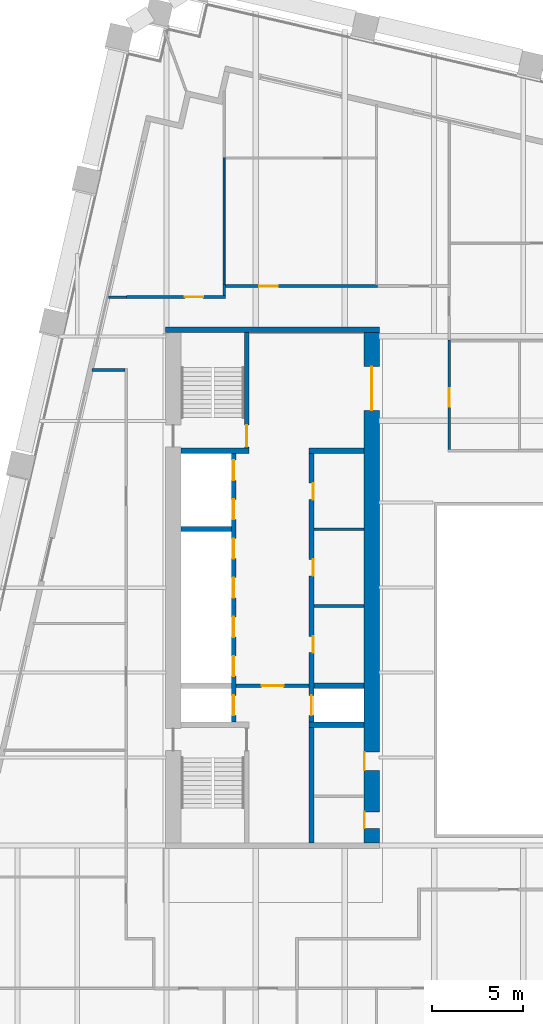
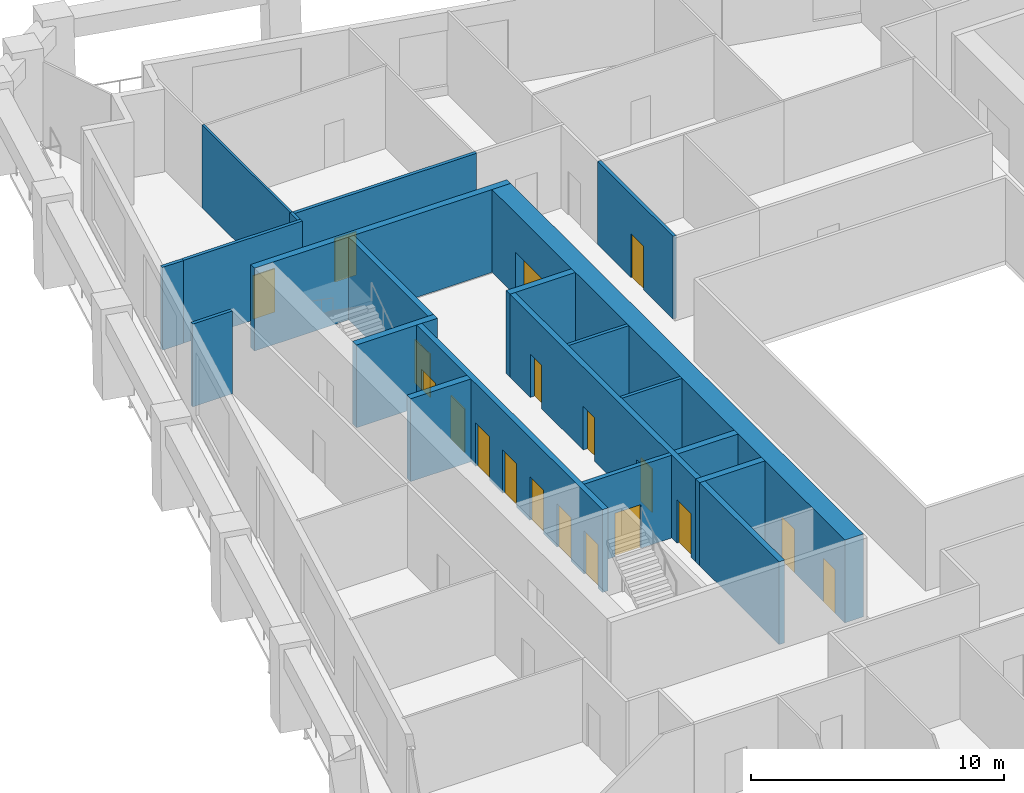
# One storey, part 5 of 10: 20 walls, 19 doors, 19 openings.
"""IFC4 building model written with IfcOpenShell, lengths in metres."""

from ifc_helpers import new_model, si_unit, direction, frame, frame_2d, origin, place, context, subcontext, project, spatial, rectangle, extrude, material, layer, layer_set, type_object, element, fill, save


model = new_model("IFC4")

# Units and contexts
model_context = context("Model", 3, precision=1e-05, world=origin(), true_north=direction((0.0, 1.0)))
body_context = subcontext(model_context, "Body", "Model", "MODEL_VIEW")
ifc_project = project(units=[si_unit("LENGTHUNIT", "METRE"), si_unit("AREAUNIT", "SQUARE_METRE"), si_unit("VOLUMEUNIT", "CUBIC_METRE"), si_unit("PLANEANGLEUNIT", "RADIAN"), si_unit("MASSUNIT", "GRAM", prefix="KILO")], contexts=[model_context])

# Site, building, storey
site_placement = place(None, origin())
site = spatial("IfcSite", under=ifc_project, at=site_placement, CompositionType="ELEMENT")
building_placement = place(site_placement, origin())
building = spatial("IfcBuilding", under=site, at=building_placement, Name="Ogive Exchange Tower", CompositionType="ELEMENT")
storey_placement = place(building_placement, frame((0.0, 0.0, 114.0)))
storey = spatial("IfcBuildingStorey", under=building, at=storey_placement, Name="L24", CompositionType="ELEMENT", Elevation=114.0)

# Walls
ifc_material_1 = material(Name="Gypsum board partition")
ifc_layer_1 = layer(ifc_material_1, 0.14990234375)
ifc_layer_set_1 = layer_set([ifc_layer_1], Name="Core room partition 150 gypsum")
wall_type_1 = type_object("IfcWallType", Name="Core room partition 150 gypsum", PredefinedType="PARTITIONING", material=ifc_layer_set_1)
for number, where, z_axis, x_axis, name in (
    (1, (-13.75, 10.5, 0.0), (0.0, 0.0, 1.0), (1.0, 0.0, 0.0), "W row B bay partition 1-1"),
    (2, (-13.75, 14.699951171875, 0.0), (0.0, 0.0, 1.0), (1.0, 0.0, 0.0), "W row B bay partition 1-2"),
):
    element("IfcWall", number, at=place(storey_placement, frame(where, z_axis=z_axis, x_axis=x_axis)), inside=storey, type_object=wall_type_1, Name=name, PredefinedType="PARTITIONING", context=body_context, shape_type="SweptSolid", body=[
        extrude(rectangle(XDim=2.75, YDim=0.14990234375, at=frame_2d((1.375, 0.0))), origin(), (0.0, 0.0, 1.0), 4.0),
    ])
ifc_layer_2 = layer(ifc_material_1, 0.300048828125)
ifc_layer_set_2 = layer_set([ifc_layer_2], Name="Core room partition 300 gypsum")
wall_type_2 = type_object("IfcWallType", Name="Core room partition 300 gypsum", PredefinedType="PARTITIONING", material=ifc_layer_set_2)
wall_1_placement = place(storey_placement, frame((-14.0, 19.0, 0.0), z_axis=(0.0, 0.0, 1.0), x_axis=(1.0, 0.0, 0.0)))
element("IfcWall", 3, at=wall_1_placement, inside=storey, type_object=wall_type_2, Name="W row B room end wall 7", PredefinedType="PARTITIONING", context=body_context, shape_type="SweptSolid", body=[
    extrude(rectangle(XDim=3.0, YDim=0.300048828125, at=frame_2d((1.5, 0.0))), origin(), (0.0, 0.0, 1.0), 4.0),
])
ifc_material_2 = material(Name="Fire partition EI 60 150")
ifc_layer_3 = layer(ifc_material_2, 0.14990234375)
ifc_layer_set_3 = layer_set([ifc_layer_3], Name="Fire partition EI 60 150")
wall_type_3 = type_object("IfcWallType", Name="Fire partition EI 60 150", PredefinedType="PARTITIONING", material=ifc_layer_set_3)
wall_2_placement = place(storey_placement, frame((-24.970947265625, 27.389892578125, 0.0), z_axis=(0.0, 0.0, 1.0), x_axis=(1.0, 0.0, 0.0)))
element("IfcWall", 4, at=wall_2_placement, inside=storey, type_object=wall_type_3, Name="L24-PWL-002", PredefinedType="PARTITIONING", context=body_context, shape_type="SweptSolid", body=[
    extrude(rectangle(XDim=0.970947265625, YDim=0.14990234375, at=frame_2d((0.4853515625, 0.0))), origin(), (0.0, 0.0, 1.0), 4.0),
])
wall_3_placement = place(storey_placement, frame((-24.074951171875, 23.409912109375, 0.0), z_axis=(0.0, 0.0, 1.0), x_axis=(-1.0, 0.0, 0.0)))
element("IfcWall", 5, at=wall_3_placement, inside=storey, type_object=wall_type_3, Name="L24-PWL-010", PredefinedType="PARTITIONING", context=body_context, shape_type="SweptSolid", body=[
    extrude(rectangle(XDim=1.81494140625, YDim=0.14990234375, at=frame_2d((0.907470703125, 0.0))), origin(), (0.0, 0.0, 1.0), 4.0),
])

# Wall, opening, door
wall_4_placement = place(storey_placement, frame((-24.0, 27.39990234375, 0.0), z_axis=(0.0, 0.0, 1.0), x_axis=(1.0, 0.0, 0.0)))
wall_4 = element("IfcWall", 6, at=wall_4_placement, inside=storey, type_object=wall_type_3, Name="L24-PWL-011", PredefinedType="PARTITIONING", context=body_context, shape_type="SweptSolid", body=[
    extrude(rectangle(XDim=5.425048828125, YDim=0.14990234375, at=frame_2d((2.71240234375, 0.0))), origin(), (0.0, 0.0, 1.0), 4.0),
])
opening_1_placement = place(wall_4_placement, frame((3.199951171875, 0.0, 0.0)))
opening_1 = element("IfcOpeningElement", 7, at=opening_1_placement, cuts=wall_4, Name="Opening L24-I14", PredefinedType="OPENING", context=body_context, shape_type="SweptSolid", body=[
    extrude(rectangle(XDim=1.0, YDim=2.10009765625, at=frame_2d((0.5, 1.050048828125))), frame((0.0, 0.0849609375, 0.0), z_axis=(0.0, -1.0, 0.0), x_axis=(1.0, 0.0, 0.0)), (0.0, 0.0, 1.0), 0.169921875),
])
ifc_material_3 = material(Name="Fire door FD 30S 1000 x 2100")
door_type_1 = type_object("IfcDoorType", Name="Fire door FD 30S 1000 x 2100", OperationType="NOTDEFINED", PredefinedType="DOOR", material=ifc_material_3)
door_1_placement = place(opening_1_placement, origin())
door_1 = element("IfcDoor", 8, at=door_1_placement, inside=storey, type_object=door_type_1, Name="L24-IDR-014", ObjectType="DT3", OperationType="SINGLE_SWING_LEFT", OverallHeight=2.10009765625, OverallWidth=1.0, PredefinedType="DOOR", context=body_context, shape_type="SweptSolid", body=[
    extrude(rectangle(XDim=1.0, YDim=2.10009765625, at=frame_2d((0.5, 1.050048828125))), frame((0.0, 0.02490234375, 0.0), z_axis=(0.0, -1.0, 0.0), x_axis=(1.0, 0.0, 0.0)), (0.0, 0.0, 1.0), 0.050048828125),
])
fill(opening_1, door_1)

# Wall
wall_5_placement = place(storey_placement, frame((-18.64990234375, 27.47509765625, 0.0), z_axis=(0.0, 0.0, 1.0), x_axis=(0.0, 1.0, 0.0)))
element("IfcWall", 9, at=wall_5_placement, inside=storey, type_object=wall_type_3, Name="L24-PWL-017", PredefinedType="PARTITIONING", context=body_context, shape_type="SweptSolid", body=[
    extrude(rectangle(XDim=0.599853515625, YDim=0.14990234375, at=frame_2d((0.2998046875, 0.0))), origin(), (0.0, 0.0, 1.0), 4.0),
])

# Wall, opening, door
wall_6_placement = place(storey_placement, frame((-18.574951171875, 28.0, 0.0), z_axis=(0.0, 0.0, 1.0), x_axis=(1.0, 0.0, 0.0)))
wall_6 = element("IfcWall", 10, at=wall_6_placement, inside=storey, type_object=wall_type_3, Name="L24-PWL-019", PredefinedType="PARTITIONING", context=body_context, shape_type="SweptSolid", body=[
    extrude(rectangle(XDim=8.304931640625, YDim=0.14990234375, at=frame_2d((4.15234375, 0.0))), origin(), (0.0, 0.0, 1.0), 4.0),
])
opening_2_placement = place(wall_6_placement, frame((1.85498046875, 0.0, 0.0)))
opening_2 = element("IfcOpeningElement", 11, at=opening_2_placement, cuts=wall_6, Name="Opening L24-I12", PredefinedType="OPENING", context=body_context, shape_type="SweptSolid", body=[
    extrude(rectangle(XDim=1.0, YDim=2.10009765625, at=frame_2d((0.5, 1.050048828125))), frame((0.0, 0.0849609375, 0.0), z_axis=(0.0, -1.0, 0.0), x_axis=(1.0, 0.0, 0.0)), (0.0, 0.0, 1.0), 0.169921875),
])
door_2_placement = place(opening_2_placement, origin())
door_2 = element("IfcDoor", 12, at=door_2_placement, inside=storey, type_object=door_type_1, Name="L24-IDR-012", ObjectType="DT3", OperationType="SINGLE_SWING_RIGHT", OverallHeight=2.10009765625, OverallWidth=1.0, PredefinedType="DOOR", context=body_context, shape_type="SweptSolid", body=[
    extrude(rectangle(XDim=1.0, YDim=2.10009765625, at=frame_2d((0.5, 1.050048828125))), frame((0.0, 0.02490234375, 0.0), z_axis=(0.0, -1.0, 0.0), x_axis=(1.0, 0.0, 0.0)), (0.0, 0.0, 1.0), 0.050048828125),
])
fill(opening_2, door_2)

wall_7_placement = place(storey_placement, frame((-6.340087890625, 25.050048828125, 0.0), z_axis=(0.0, 0.0, 1.0), x_axis=(0.0, -1.0, 0.0)))
wall_7 = element("IfcWall", 13, at=wall_7_placement, inside=storey, type_object=wall_type_3, Name="L24-PWL-033", PredefinedType="PARTITIONING", context=body_context, shape_type="SweptSolid", body=[
    extrude(rectangle(XDim=5.97509765625, YDim=0.14990234375, at=frame_2d((2.987548828125, 0.0))), origin(), (0.0, 0.0, 1.0), 4.0),
])
opening_3_placement = place(wall_7_placement, frame((2.64990234375, 0.0, 0.0)))
opening_3 = element("IfcOpeningElement", 14, at=opening_3_placement, cuts=wall_7, Name="Opening L24-I05", PredefinedType="OPENING", context=body_context, shape_type="SweptSolid", body=[
    extrude(rectangle(XDim=1.0, YDim=2.10009765625, at=frame_2d((0.5, 1.050048828125))), frame((0.0, 0.0849609375, 0.0), z_axis=(0.0, -1.0, 0.0), x_axis=(1.0, 0.0, 0.0)), (0.0, 0.0, 1.0), 0.169921875),
])
door_3_placement = place(opening_3_placement, origin())
door_3 = element("IfcDoor", 15, at=door_3_placement, inside=storey, type_object=door_type_1, Name="L24-IDR-005", ObjectType="DT3", OperationType="SINGLE_SWING_LEFT", OverallHeight=2.10009765625, OverallWidth=1.0, PredefinedType="DOOR", context=body_context, shape_type="SweptSolid", body=[
    extrude(rectangle(XDim=1.0, YDim=2.10009765625, at=frame_2d((0.5, 1.050048828125))), frame((0.0, 0.02490234375, 0.0), z_axis=(0.0, -1.0, 0.0), x_axis=(1.0, 0.0, 0.0)), (0.0, 0.0, 1.0), 0.050048828125),
])
fill(opening_3, door_3)

# Wall
ifc_material_4 = material(Name="Partition 100 gypsum")
ifc_layer_4 = layer(ifc_material_4, 0.10009765625)
ifc_layer_set_4 = layer_set([ifc_layer_4], Name="Partition 100 gypsum")
wall_type_4 = type_object("IfcWallType", Name="Partition 100 gypsum", PredefinedType="PARTITIONING", material=ifc_layer_set_4)
wall_8_placement = place(storey_placement, frame((-18.64990234375, 28.074951171875, 0.0), z_axis=(0.0, 0.0, 1.0), x_axis=(0.0, 1.0, 0.0)))
element("IfcWall", 16, at=wall_8_placement, inside=storey, type_object=wall_type_4, Name="L24-PWL-018", PredefinedType="PARTITIONING", context=body_context, shape_type="SweptSolid", body=[
    extrude(rectangle(XDim=6.97509765625, YDim=0.10009765625, at=frame_2d((3.487548828125, 0.0))), origin(), (0.0, 0.0, 1.0), 4.0),
])

# Wall, opening, door
ifc_material_5 = material(Name="Concrete C70/85", Category="concrete")
ifc_layer_5 = layer(ifc_material_5, 0.199951171875)
ifc_layer_set_5 = layer_set([ifc_layer_5], Name="RC core wall 200 C70/85")
wall_type_5 = type_object("IfcWallType", Name="RC core wall 200 C70/85", PredefinedType="SHEAR", material=ifc_layer_set_5)
wall_9_placement = place(storey_placement, frame((-18.0, 6.142822265625, 0.0), z_axis=(0.0, 0.0, 1.0), x_axis=(1.0, 0.0, 0.0)))
wall_9 = element("IfcWall", 17, at=wall_9_placement, inside=storey, type_object=wall_type_5, Name="W firefighting lobby wall", PredefinedType="SHEAR", context=body_context, shape_type="SweptSolid", body=[
    extrude(rectangle(XDim=4.0, YDim=0.199951171875, at=frame_2d((2.0, 0.0))), origin(), (0.0, 0.0, 1.0), 4.0),
])
opening_4_placement = place(wall_9_placement, frame((1.39990234375, 0.0, 0.0)))
opening_4 = element("IfcOpeningElement", 18, at=opening_4_placement, cuts=wall_9, Name="Opening L24-C12", PredefinedType="OPENING", context=body_context, shape_type="SweptSolid", body=[
    extrude(rectangle(XDim=1.199951171875, YDim=2.10009765625, at=frame_2d((0.60009765625, 1.050048828125))), frame((0.0, 0.10986328125, 0.0), z_axis=(0.0, -1.0, 0.0), x_axis=(1.0, 0.0, 0.0)), (0.0, 0.0, 1.0), 0.219970703125),
])
ifc_material_6 = material(Name="Steel fire door", Category="steel")
door_type_2 = type_object("IfcDoorType", Name="Firefighting lobby door FD60 1200 x 2100", OperationType="NOTDEFINED", PredefinedType="DOOR", material=ifc_material_6)
door_4_placement = place(opening_4_placement, frame((1.199951171875, 0.0, 0.0), z_axis=(0.0, 0.0, 1.0), x_axis=(-1.0, 0.0, 0.0)))
door_4 = element("IfcDoor", 19, at=door_4_placement, inside=storey, type_object=door_type_2, Name="Firefighting lobby door", ObjectType="CD3", OperationType="SINGLE_SWING_RIGHT", OverallHeight=2.10009765625, OverallWidth=1.199951171875, PredefinedType="DOOR", context=body_context, shape_type="SweptSolid", body=[
    extrude(rectangle(XDim=1.199951171875, YDim=2.10009765625, at=frame_2d((0.60009765625, 1.050048828125))), frame((0.0, 0.02490234375, 0.0), z_axis=(0.0, -1.0, 0.0), x_axis=(1.0, 0.0, 0.0)), (0.0, 0.0, 1.0), 0.050048828125),
])
fill(opening_4, door_4)

ifc_layer_6 = layer(ifc_material_5, 0.25)
ifc_layer_set_6 = layer_set([ifc_layer_6], Name="RC core wall 250 C70/85")
wall_type_6 = type_object("IfcWallType", Name="RC core wall 250 C70/85", PredefinedType="SHEAR", material=ifc_layer_set_6)
wall_10_placement = place(storey_placement, frame((-17.425048828125, 19.14990234375, 0.0), z_axis=(0.0, 0.0, 1.0), x_axis=(0.0, 1.0, 0.0)))
wall_10 = element("IfcWall", 20, at=wall_10_placement, inside=storey, type_object=wall_type_6, Name="W stair N front wall", PredefinedType="SHEAR", context=body_context, shape_type="SweptSolid", body=[
    extrude(rectangle(XDim=6.300048828125, YDim=0.25, at=frame_2d((3.14990234375, 0.0))), origin(), (0.0, 0.0, 1.0), 4.0),
])
opening_5_placement = place(wall_10_placement, frame((0.050048828125, 0.0, 0.0)))
opening_5 = element("IfcOpeningElement", 21, at=opening_5_placement, cuts=wall_10, Name="Opening L24-C16", PredefinedType="OPENING", context=body_context, shape_type="SweptSolid", body=[
    extrude(rectangle(XDim=1.199951171875, YDim=2.10009765625, at=frame_2d((0.60009765625, 1.050048828125))), frame((0.0, 0.135009765625, 0.0), z_axis=(0.0, -1.0, 0.0), x_axis=(1.0, 0.0, 0.0)), (0.0, 0.0, 1.0), 0.27001953125),
])
door_type_3 = type_object("IfcDoorType", Name="Stair door FD90 1200 x 2100", OperationType="NOTDEFINED", PredefinedType="DOOR", material=ifc_material_6)
door_5_placement = place(opening_5_placement, origin())
door_5 = element("IfcDoor", 22, at=door_5_placement, inside=storey, type_object=door_type_3, Name="Stair door", ObjectType="CD5", OperationType="SINGLE_SWING_RIGHT", OverallHeight=2.10009765625, OverallWidth=1.199951171875, PredefinedType="DOOR", context=body_context, shape_type="SweptSolid", body=[
    extrude(rectangle(XDim=1.199951171875, YDim=2.10009765625, at=frame_2d((0.60009765625, 1.050048828125))), frame((0.0, 0.02490234375, 0.0), z_axis=(0.0, -1.0, 0.0), x_axis=(1.0, 0.0, 0.0)), (0.0, 0.0, 1.0), 0.050048828125),
])
fill(opening_5, door_5)

# Wall, openings, doors
wall_11_placement = place(storey_placement, frame((-18.125, 4.14990234375, 0.0), z_axis=(0.0, 0.0, 1.0), x_axis=(0.0, 1.0, 0.0)))
wall_11 = element("IfcWall", 23, at=wall_11_placement, inside=storey, type_object=wall_type_6, Name="W row A front wall", PredefinedType="SHEAR", context=body_context, shape_type="SweptSolid", body=[
    extrude(rectangle(XDim=14.7001953125, YDim=0.25, at=frame_2d((7.35009765625, 0.0))), origin(), (0.0, 0.0, 1.0), 4.0),
])
opening_6_placement = place(wall_11_placement, frame((0.371337890625, 0.0, 0.0)))
opening_6 = element("IfcOpeningElement", 24, at=opening_6_placement, cuts=wall_11, Name="Opening L24-C01", PredefinedType="OPENING", context=body_context, shape_type="SweptSolid", body=[
    extrude(rectangle(XDim=1.10009765625, YDim=2.10009765625, at=frame_2d((0.550048828125, 1.050048828125))), frame((0.0, 0.135009765625, 0.0), z_axis=(0.0, -1.0, 0.0), x_axis=(1.0, 0.0, 0.0)), (0.0, 0.0, 1.0), 0.27001953125),
])
opening_7_placement = place(wall_11_placement, frame((2.514404296875, 0.0, 0.0)))
opening_7 = element("IfcOpeningElement", 25, at=opening_7_placement, cuts=wall_11, Name="Opening L24-C02", PredefinedType="OPENING", context=body_context, shape_type="SweptSolid", body=[
    extrude(rectangle(XDim=1.10009765625, YDim=2.10009765625, at=frame_2d((0.550048828125, 1.050048828125))), frame((0.0, 0.135009765625, 0.0), z_axis=(0.0, -1.0, 0.0), x_axis=(1.0, 0.0, 0.0)), (0.0, 0.0, 1.0), 0.27001953125),
])
opening_8_placement = place(wall_11_placement, frame((4.656982421875, 0.0, 0.0)))
opening_8 = element("IfcOpeningElement", 26, at=opening_8_placement, cuts=wall_11, Name="Opening L24-C03", PredefinedType="OPENING", context=body_context, shape_type="SweptSolid", body=[
    extrude(rectangle(XDim=1.10009765625, YDim=2.10009765625, at=frame_2d((0.550048828125, 1.050048828125))), frame((0.0, 0.135009765625, 0.0), z_axis=(0.0, -1.0, 0.0), x_axis=(1.0, 0.0, 0.0)), (0.0, 0.0, 1.0), 0.27001953125),
])
opening_9_placement = place(wall_11_placement, frame((6.800048828125, 0.0, 0.0)))
opening_9 = element("IfcOpeningElement", 27, at=opening_9_placement, cuts=wall_11, Name="Opening L24-C04", PredefinedType="OPENING", context=body_context, shape_type="SweptSolid", body=[
    extrude(rectangle(XDim=1.10009765625, YDim=2.10009765625, at=frame_2d((0.550048828125, 1.050048828125))), frame((0.0, 0.135009765625, 0.0), z_axis=(0.0, -1.0, 0.0), x_axis=(1.0, 0.0, 0.0)), (0.0, 0.0, 1.0), 0.27001953125),
])
opening_10_placement = place(wall_11_placement, frame((8.94287109375, 0.0, 0.0)))
opening_10 = element("IfcOpeningElement", 28, at=opening_10_placement, cuts=wall_11, Name="Opening L24-C05", PredefinedType="OPENING", context=body_context, shape_type="SweptSolid", body=[
    extrude(rectangle(XDim=1.10009765625, YDim=2.10009765625, at=frame_2d((0.550048828125, 1.050048828125))), frame((0.0, 0.135009765625, 0.0), z_axis=(0.0, -1.0, 0.0), x_axis=(1.0, 0.0, 0.0)), (0.0, 0.0, 1.0), 0.27001953125),
])
opening_11_placement = place(wall_11_placement, frame((11.085693359375, 0.0, 0.0)))
opening_11 = element("IfcOpeningElement", 29, at=opening_11_placement, cuts=wall_11, Name="Opening L24-C06", PredefinedType="OPENING", context=body_context, shape_type="SweptSolid", body=[
    extrude(rectangle(XDim=1.10009765625, YDim=2.10009765625, at=frame_2d((0.550048828125, 1.050048828125))), frame((0.0, 0.135009765625, 0.0), z_axis=(0.0, -1.0, 0.0), x_axis=(1.0, 0.0, 0.0)), (0.0, 0.0, 1.0), 0.27001953125),
])
opening_12_placement = place(wall_11_placement, frame((13.228515625, 0.0, 0.0)))
opening_12 = element("IfcOpeningElement", 30, at=opening_12_placement, cuts=wall_11, Name="Opening L24-C07", PredefinedType="OPENING", context=body_context, shape_type="SweptSolid", body=[
    extrude(rectangle(XDim=1.10009765625, YDim=2.10009765625, at=frame_2d((0.550048828125, 1.050048828125))), frame((0.0, 0.135009765625, 0.0), z_axis=(0.0, -1.0, 0.0), x_axis=(1.0, 0.0, 0.0)), (0.0, 0.0, 1.0), 0.27001953125),
])
ifc_material_7 = material(Name="Stainless steel", Category="steel")
door_type_4 = type_object("IfcDoorType", Name="Lift landing door FD90 1100 x 2100", OperationType="SLIDING_TO_LEFT", PredefinedType="DOOR", material=ifc_material_7)
door_6_placement = place(opening_6_placement, origin())
door_6 = element("IfcDoor", 31, at=door_6_placement, inside=storey, type_object=door_type_4, Name="Lift landing door FF1", ObjectType="LD", OperationType="SLIDING_TO_LEFT", OverallHeight=2.10009765625, OverallWidth=1.10009765625, PredefinedType="DOOR", context=body_context, shape_type="SweptSolid", body=[
    extrude(rectangle(XDim=1.10009765625, YDim=2.10009765625, at=frame_2d((0.550048828125, 1.050048828125))), frame((0.0, 0.02490234375, 0.0), z_axis=(0.0, -1.0, 0.0), x_axis=(1.0, 0.0, 0.0)), (0.0, 0.0, 1.0), 0.050048828125),
])
fill(opening_6, door_6)
door_7_placement = place(opening_7_placement, origin())
door_7 = element("IfcDoor", 32, at=door_7_placement, inside=storey, type_object=door_type_4, Name="Lift landing door W-L1", ObjectType="LD", OperationType="SLIDING_TO_LEFT", OverallHeight=2.10009765625, OverallWidth=1.10009765625, PredefinedType="DOOR", context=body_context, shape_type="SweptSolid", body=[
    extrude(rectangle(XDim=1.10009765625, YDim=2.10009765625, at=frame_2d((0.550048828125, 1.050048828125))), frame((0.0, 0.02490234375, 0.0), z_axis=(0.0, -1.0, 0.0), x_axis=(1.0, 0.0, 0.0)), (0.0, 0.0, 1.0), 0.050048828125),
])
fill(opening_7, door_7)
door_8_placement = place(opening_8_placement, origin())
door_8 = element("IfcDoor", 33, at=door_8_placement, inside=storey, type_object=door_type_4, Name="Lift landing door W-L2", ObjectType="LD", OperationType="SLIDING_TO_LEFT", OverallHeight=2.10009765625, OverallWidth=1.10009765625, PredefinedType="DOOR", context=body_context, shape_type="SweptSolid", body=[
    extrude(rectangle(XDim=1.10009765625, YDim=2.10009765625, at=frame_2d((0.550048828125, 1.050048828125))), frame((0.0, 0.02490234375, 0.0), z_axis=(0.0, -1.0, 0.0), x_axis=(1.0, 0.0, 0.0)), (0.0, 0.0, 1.0), 0.050048828125),
])
fill(opening_8, door_8)
door_9_placement = place(opening_9_placement, origin())
door_9 = element("IfcDoor", 34, at=door_9_placement, inside=storey, type_object=door_type_4, Name="Lift landing door W-L3", ObjectType="LD", OperationType="SLIDING_TO_LEFT", OverallHeight=2.10009765625, OverallWidth=1.10009765625, PredefinedType="DOOR", context=body_context, shape_type="SweptSolid", body=[
    extrude(rectangle(XDim=1.10009765625, YDim=2.10009765625, at=frame_2d((0.550048828125, 1.050048828125))), frame((0.0, 0.02490234375, 0.0), z_axis=(0.0, -1.0, 0.0), x_axis=(1.0, 0.0, 0.0)), (0.0, 0.0, 1.0), 0.050048828125),
])
fill(opening_9, door_9)
door_10_placement = place(opening_10_placement, origin())
door_10 = element("IfcDoor", 35, at=door_10_placement, inside=storey, type_object=door_type_4, Name="Lift landing door W-L4", ObjectType="LD", OperationType="SLIDING_TO_LEFT", OverallHeight=2.10009765625, OverallWidth=1.10009765625, PredefinedType="DOOR", context=body_context, shape_type="SweptSolid", body=[
    extrude(rectangle(XDim=1.10009765625, YDim=2.10009765625, at=frame_2d((0.550048828125, 1.050048828125))), frame((0.0, 0.02490234375, 0.0), z_axis=(0.0, -1.0, 0.0), x_axis=(1.0, 0.0, 0.0)), (0.0, 0.0, 1.0), 0.050048828125),
])
fill(opening_10, door_10)
door_11_placement = place(opening_11_placement, origin())
door_11 = element("IfcDoor", 36, at=door_11_placement, inside=storey, type_object=door_type_4, Name="Lift landing door W-SH1", ObjectType="LD", OperationType="SLIDING_TO_LEFT", OverallHeight=2.10009765625, OverallWidth=1.10009765625, PredefinedType="DOOR", context=body_context, shape_type="SweptSolid", body=[
    extrude(rectangle(XDim=1.10009765625, YDim=2.10009765625, at=frame_2d((0.550048828125, 1.050048828125))), frame((0.0, 0.02490234375, 0.0), z_axis=(0.0, -1.0, 0.0), x_axis=(1.0, 0.0, 0.0)), (0.0, 0.0, 1.0), 0.050048828125),
])
fill(opening_11, door_11)
door_12_placement = place(opening_12_placement, origin())
door_12 = element("IfcDoor", 37, at=door_12_placement, inside=storey, type_object=door_type_4, Name="Lift landing door W-SH2", ObjectType="LD", OperationType="SLIDING_TO_LEFT", OverallHeight=2.10009765625, OverallWidth=1.10009765625, PredefinedType="DOOR", context=body_context, shape_type="SweptSolid", body=[
    extrude(rectangle(XDim=1.10009765625, YDim=2.10009765625, at=frame_2d((0.550048828125, 1.050048828125))), frame((0.0, 0.02490234375, 0.0), z_axis=(0.0, -1.0, 0.0), x_axis=(1.0, 0.0, 0.0)), (0.0, 0.0, 1.0), 0.050048828125),
])
fill(opening_12, door_12)

wall_12_placement = place(storey_placement, frame((-13.875, -2.449951171875, 0.0), z_axis=(0.0, 0.0, 1.0), x_axis=(0.0, 1.0, 0.0)))
wall_12 = element("IfcWall", 38, at=wall_12_placement, inside=storey, type_object=wall_type_6, Name="W row B front wall", PredefinedType="SHEAR", context=body_context, shape_type="SweptSolid", body=[
    extrude(rectangle(XDim=21.300048828125, YDim=0.25, at=frame_2d((10.64990234375, 0.0))), origin(), (0.0, 0.0, 1.0), 4.0),
])
opening_13_placement = place(wall_12_placement, frame((10.396484375, 0.0, 0.0)))
opening_13 = element("IfcOpeningElement", 39, at=opening_13_placement, cuts=wall_12, Name="Opening L24-C08", PredefinedType="OPENING", context=body_context, shape_type="SweptSolid", body=[
    extrude(rectangle(XDim=0.89990234375, YDim=2.10009765625, at=frame_2d((0.449951171875, 1.050048828125))), frame((0.0, 0.135009765625, 0.0), z_axis=(0.0, -1.0, 0.0), x_axis=(1.0, 0.0, 0.0)), (0.0, 0.0, 1.0), 0.27001953125),
])
opening_14_placement = place(wall_12_placement, frame((14.60009765625, 0.0, 0.0)))
opening_14 = element("IfcOpeningElement", 40, at=opening_14_placement, cuts=wall_12, Name="Opening L24-C09", PredefinedType="OPENING", context=body_context, shape_type="SweptSolid", body=[
    extrude(rectangle(XDim=0.89990234375, YDim=2.10009765625, at=frame_2d((0.449951171875, 1.050048828125))), frame((0.0, 0.135009765625, 0.0), z_axis=(0.0, -1.0, 0.0), x_axis=(1.0, 0.0, 0.0)), (0.0, 0.0, 1.0), 0.27001953125),
])
opening_15_placement = place(wall_12_placement, frame((18.77490234375, 0.0, 0.0)))
opening_15 = element("IfcOpeningElement", 41, at=opening_15_placement, cuts=wall_12, Name="Opening L24-C10", PredefinedType="OPENING", context=body_context, shape_type="SweptSolid", body=[
    extrude(rectangle(XDim=0.89990234375, YDim=2.10009765625, at=frame_2d((0.449951171875, 1.050048828125))), frame((0.0, 0.135009765625, 0.0), z_axis=(0.0, -1.0, 0.0), x_axis=(1.0, 0.0, 0.0)), (0.0, 0.0, 1.0), 0.27001953125),
])
opening_16_placement = place(wall_12_placement, frame((6.971435546875, 0.0, 0.0)))
opening_16 = element("IfcOpeningElement", 42, at=opening_16_placement, cuts=wall_12, Name="Opening L24-C11", PredefinedType="OPENING", context=body_context, shape_type="SweptSolid", body=[
    extrude(rectangle(XDim=1.10009765625, YDim=2.10009765625, at=frame_2d((0.550048828125, 1.050048828125))), frame((0.0, 0.135009765625, 0.0), z_axis=(0.0, -1.0, 0.0), x_axis=(1.0, 0.0, 0.0)), (0.0, 0.0, 1.0), 0.27001953125),
])
door_13_placement = place(opening_16_placement, origin())
door_13 = element("IfcDoor", 43, at=door_13_placement, inside=storey, type_object=door_type_4, Name="Lift landing door SV1", ObjectType="LD", OperationType="SLIDING_TO_LEFT", OverallHeight=2.10009765625, OverallWidth=1.10009765625, PredefinedType="DOOR", context=body_context, shape_type="SweptSolid", body=[
    extrude(rectangle(XDim=1.10009765625, YDim=2.10009765625, at=frame_2d((0.550048828125, 1.050048828125))), frame((0.0, 0.02490234375, 0.0), z_axis=(0.0, -1.0, 0.0), x_axis=(1.0, 0.0, 0.0)), (0.0, 0.0, 1.0), 0.050048828125),
])
fill(opening_16, door_13)
door_type_5 = type_object("IfcDoorType", Name="Riser door FD60 900 x 2100", OperationType="NOTDEFINED", PredefinedType="DOOR", material=ifc_material_6)
door_14_placement = place(opening_13_placement, frame((0.89990234375, -0.2001953125, 0.0), z_axis=(0.0, 0.0, 1.0), x_axis=(-1.0, 0.0, 0.0)))
door_14 = element("IfcDoor", 44, at=door_14_placement, inside=storey, type_object=door_type_5, Name="Riser door", ObjectType="CD2", OperationType="SINGLE_SWING_LEFT", OverallHeight=2.10009765625, OverallWidth=0.89990234375, PredefinedType="DOOR", context=body_context, shape_type="SweptSolid", body=[
    extrude(rectangle(XDim=0.89990234375, YDim=2.10009765625, at=frame_2d((0.449951171875, 1.050048828125))), frame((0.0, -0.0751953125, 0.0), z_axis=(0.0, -1.0, 0.0), x_axis=(1.0, 0.0, 0.0)), (0.0, 0.0, 1.0), 0.050048828125),
])
fill(opening_13, door_14)
door_15_placement = place(opening_14_placement, frame((0.89990234375, -0.2001953125, 0.0), z_axis=(0.0, 0.0, 1.0), x_axis=(-1.0, 0.0, 0.0)))
door_15 = element("IfcDoor", 45, at=door_15_placement, inside=storey, type_object=door_type_5, Name="Riser door", ObjectType="CD2", OperationType="SINGLE_SWING_LEFT", OverallHeight=2.10009765625, OverallWidth=0.89990234375, PredefinedType="DOOR", context=body_context, shape_type="SweptSolid", body=[
    extrude(rectangle(XDim=0.89990234375, YDim=2.10009765625, at=frame_2d((0.449951171875, 1.050048828125))), frame((0.0, -0.0751953125, 0.0), z_axis=(0.0, -1.0, 0.0), x_axis=(1.0, 0.0, 0.0)), (0.0, 0.0, 1.0), 0.050048828125),
])
fill(opening_14, door_15)
door_16_placement = place(opening_15_placement, frame((0.89990234375, -0.2001953125, 0.0), z_axis=(0.0, 0.0, 1.0), x_axis=(-1.0, 0.0, 0.0)))
door_16 = element("IfcDoor", 46, at=door_16_placement, inside=storey, type_object=door_type_5, Name="Riser door", ObjectType="CD2", OperationType="SINGLE_SWING_RIGHT", OverallHeight=2.10009765625, OverallWidth=0.89990234375, PredefinedType="DOOR", context=body_context, shape_type="SweptSolid", body=[
    extrude(rectangle(XDim=0.89990234375, YDim=2.10009765625, at=frame_2d((0.449951171875, 1.050048828125))), frame((0.0, -0.0751953125, 0.0), z_axis=(0.0, -1.0, 0.0), x_axis=(1.0, 0.0, 0.0)), (0.0, 0.0, 1.0), 0.050048828125),
])
fill(opening_15, door_16)

# Walls
ifc_layer_7 = layer(ifc_material_5, 0.300048828125)
ifc_layer_set_7 = layer_set([ifc_layer_7], Name="RC core wall 300 C70/85")
wall_type_7 = type_object("IfcWallType", Name="RC core wall 300 C70/85", PredefinedType="SHEAR", material=ifc_layer_set_7)
wall_13_placement = place(storey_placement, frame((-21.85009765625, 25.60009765625, 0.0), z_axis=(0.0, 0.0, 1.0), x_axis=(1.0, 0.0, 0.0)))
element("IfcWall", 47, at=wall_13_placement, inside=storey, type_object=wall_type_7, Name="W north end wall", PredefinedType="SHEAR", context=body_context, shape_type="SweptSolid", body=[
    extrude(rectangle(XDim=11.7001953125, YDim=0.300048828125, at=frame_2d((5.85009765625, 0.0))), origin(), (0.0, 0.0, 1.0), 4.0),
])
wall_14_placement = place(storey_placement, frame((-21.0, 19.0, 0.0), z_axis=(0.0, 0.0, 1.0), x_axis=(1.0, 0.0, 0.0)))
element("IfcWall", 48, at=wall_14_placement, inside=storey, type_object=wall_type_7, Name="W stair N south wall", PredefinedType="SHEAR", context=body_context, shape_type="SweptSolid", body=[
    extrude(rectangle(XDim=3.699951171875, YDim=0.300048828125, at=frame_2d((1.85009765625, 0.0))), origin(), (0.0, 0.0, 1.0), 4.0),
])
wall_15_placement = place(storey_placement, frame((-21.0, 14.71435546875, 0.0), z_axis=(0.0, 0.0, 1.0), x_axis=(1.0, 0.0, 0.0)))
element("IfcWall", 49, at=wall_15_placement, inside=storey, type_object=wall_type_7, Name="W row A divider 5", PredefinedType="SHEAR", context=body_context, shape_type="SweptSolid", body=[
    extrude(rectangle(XDim=2.75, YDim=0.300048828125, at=frame_2d((1.375, 0.0))), origin(), (0.0, 0.0, 1.0), 4.0),
])
wall_16_placement = place(storey_placement, frame((-14.0, 4.0, 0.0), z_axis=(0.0, 0.0, 1.0), x_axis=(1.0, 0.0, 0.0)))
element("IfcWall", 50, at=wall_16_placement, inside=storey, type_object=wall_type_7, Name="W row B divider 0", PredefinedType="SHEAR", context=body_context, shape_type="SweptSolid", body=[
    extrude(rectangle(XDim=3.0, YDim=0.300048828125, at=frame_2d((1.5, 0.0))), origin(), (0.0, 0.0, 1.0), 4.0),
])
wall_17_placement = place(storey_placement, frame((-13.75, 6.142822265625, 0.0), z_axis=(0.0, 0.0, 1.0), x_axis=(1.0, 0.0, 0.0)))
element("IfcWall", 51, at=wall_17_placement, inside=storey, type_object=wall_type_7, Name="W row B divider 1", PredefinedType="SHEAR", context=body_context, shape_type="SweptSolid", body=[
    extrude(rectangle(XDim=2.75, YDim=0.300048828125, at=frame_2d((1.375, 0.0))), origin(), (0.0, 0.0, 1.0), 4.0),
])

# Wall, openings, doors
ifc_layer_8 = layer(ifc_material_5, 0.85009765625)
ifc_layer_set_8 = layer_set([ifc_layer_8], Name="RC core wall 850 C70/85")
wall_type_8 = type_object("IfcWallType", Name="RC core wall 850 C70/85", PredefinedType="SHEAR", material=ifc_layer_set_8)
wall_18_placement = place(storey_placement, frame((-10.574951171875, -2.449951171875, 0.0), z_axis=(0.0, 0.0, 1.0), x_axis=(0.0, 1.0, 0.0)))
wall_18 = element("IfcWall", 52, at=wall_18_placement, inside=storey, type_object=wall_type_8, Name="W inner wall", PredefinedType="SHEAR", context=body_context, shape_type="SweptSolid", body=[
    extrude(rectangle(XDim=27.89990234375, YDim=0.85009765625, at=frame_2d((13.949951171875, 0.0))), origin(), (0.0, 0.0, 1.0), 4.0),
])
opening_17_placement = place(wall_18_placement, frame((23.64990234375, 0.0, 0.0)))
opening_17 = element("IfcOpeningElement", 53, at=opening_17_placement, cuts=wall_18, Name="Opening L24-C13", PredefinedType="OPENING", context=body_context, shape_type="SweptSolid", body=[
    extrude(rectangle(XDim=2.39990234375, YDim=2.10009765625, at=frame_2d((1.199951171875, 1.050048828125))), frame((0.0, 0.43505859375, 0.0), z_axis=(0.0, -1.0, 0.0), x_axis=(1.0, 0.0, 0.0)), (0.0, 0.0, 1.0), 0.8701171875),
])
opening_18_placement = place(wall_18_placement, frame((0.78759765625, 0.0, 0.0)))
opening_18 = element("IfcOpeningElement", 54, at=opening_18_placement, cuts=wall_18, Name="Opening L24-C18", PredefinedType="OPENING", context=body_context, shape_type="SweptSolid", body=[
    extrude(rectangle(XDim=0.89990234375, YDim=2.10009765625, at=frame_2d((0.449951171875, 1.050048828125))), frame((0.0, 0.43505859375, 0.0), z_axis=(0.0, -1.0, 0.0), x_axis=(1.0, 0.0, 0.0)), (0.0, 0.0, 1.0), 0.8701171875),
])
opening_19_placement = place(wall_18_placement, frame((3.96240234375, 0.0, 0.0)))
opening_19 = element("IfcOpeningElement", 55, at=opening_19_placement, cuts=wall_18, Name="Opening L24-C19", PredefinedType="OPENING", context=body_context, shape_type="SweptSolid", body=[
    extrude(rectangle(XDim=1.0, YDim=2.10009765625, at=frame_2d((0.5, 1.050048828125))), frame((0.0, 0.43505859375, 0.0), z_axis=(0.0, -1.0, 0.0), x_axis=(1.0, 0.0, 0.0)), (0.0, 0.0, 1.0), 0.8701171875),
])
ifc_material_8 = material(Name="Timber fire door", Category="wood")
door_type_6 = type_object("IfcDoorType", Name="Accessible WC door FD30S 1000 x 2100", OperationType="NOTDEFINED", PredefinedType="DOOR", material=ifc_material_8)
door_17_placement = place(opening_19_placement, origin())
door_17 = element("IfcDoor", 56, at=door_17_placement, inside=storey, type_object=door_type_6, Name="Accessible WC door", ObjectType="CD7", OperationType="SINGLE_SWING_LEFT", OverallHeight=2.10009765625, OverallWidth=1.0, PredefinedType="DOOR", context=body_context, shape_type="SweptSolid", body=[
    extrude(rectangle(XDim=1.0, YDim=2.10009765625, at=frame_2d((0.5, 1.050048828125))), frame((0.0, 0.4248046875, 0.0), z_axis=(0.0, -1.0, 0.0), x_axis=(1.0, 0.0, 0.0)), (0.0, 0.0, 1.0), 0.050048828125),
])
fill(opening_19, door_17)
door_type_7 = type_object("IfcDoorType", Name="Core room door FD30S 900 x 2100", OperationType="NOTDEFINED", PredefinedType="DOOR", material=ifc_material_8)
door_18_placement = place(opening_18_placement, origin())
door_18 = element("IfcDoor", 57, at=door_18_placement, inside=storey, type_object=door_type_7, Name="Core room door", ObjectType="CD6", OperationType="SINGLE_SWING_LEFT", OverallHeight=2.10009765625, OverallWidth=0.89990234375, PredefinedType="DOOR", context=body_context, shape_type="SweptSolid", body=[
    extrude(rectangle(XDim=0.89990234375, YDim=2.10009765625, at=frame_2d((0.449951171875, 1.050048828125))), frame((0.0, 0.4248046875, 0.0), z_axis=(0.0, -1.0, 0.0), x_axis=(1.0, 0.0, 0.0)), (0.0, 0.0, 1.0), 0.050048828125),
])
fill(opening_18, door_18)
ifc_material_9 = material(Name="Glazed steel fire door", Category="steel")
door_type_8 = type_object("IfcDoorType", Name="Lift lobby double door FD60 2400 x 2100", OperationType="DOUBLE_DOOR_SINGLE_SWING", PredefinedType="DOOR", material=ifc_material_9)
door_19_placement = place(opening_17_placement, origin())
door_19 = element("IfcDoor", 58, at=door_19_placement, inside=storey, type_object=door_type_8, Name="Lift lobby double door", ObjectType="CD4", OperationType="DOUBLE_DOOR_SINGLE_SWING", OverallHeight=2.10009765625, OverallWidth=2.39990234375, PredefinedType="DOOR", context=body_context, shape_type="SweptSolid", body=[
    extrude(rectangle(XDim=2.39990234375, YDim=2.10009765625, at=frame_2d((1.199951171875, 1.050048828125))), frame((0.0, 0.02490234375, 0.0), z_axis=(0.0, -1.0, 0.0), x_axis=(1.0, 0.0, 0.0)), (0.0, 0.0, 1.0), 0.050048828125),
])
fill(opening_17, door_19)

save(model, "model.ifc")
